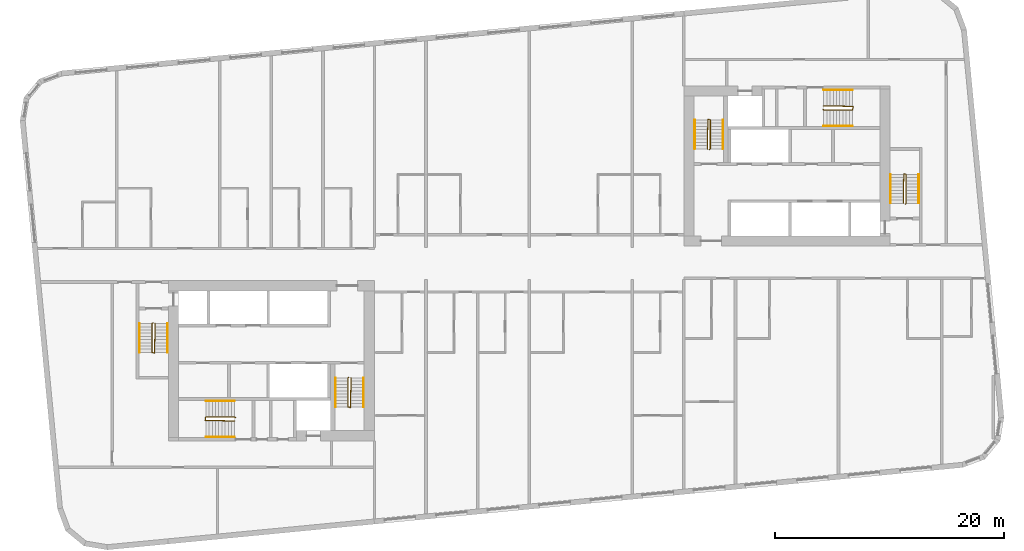
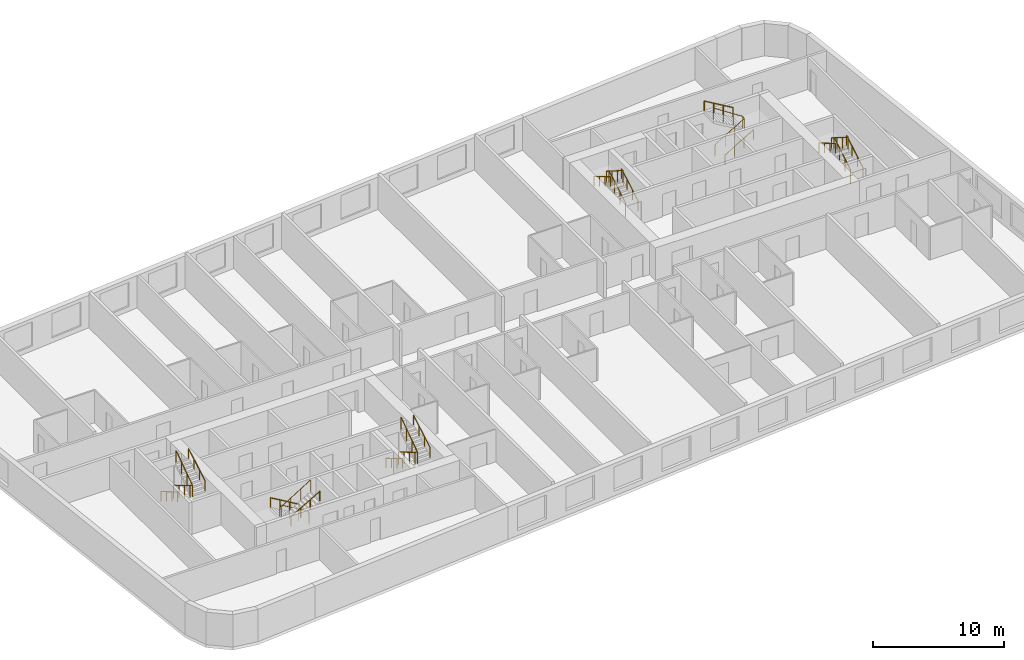
# One storey, part 12 of 12: 18 railings.
"""IFC4 building model written with IfcOpenShell, lengths in metres."""

from ifc_helpers import new_model, si_unit, direction, frame, origin, origin_2d, place, context, subcontext, project, spatial, circle, extrude, material, type_object, element, save


model = new_model("IFC4")

# Units and contexts
model_context = context("Model", 3, precision=1e-05, world=origin(), true_north=direction((0.0, 1.0)))
body_context = subcontext(model_context, "Body", "Model", "MODEL_VIEW")
ifc_project = project(units=[si_unit("LENGTHUNIT", "METRE"), si_unit("AREAUNIT", "SQUARE_METRE"), si_unit("VOLUMEUNIT", "CUBIC_METRE"), si_unit("PLANEANGLEUNIT", "RADIAN"), si_unit("MASSUNIT", "GRAM", prefix="KILO")], contexts=[model_context])

# Site, building, storey
site_placement = place(None, origin())
site = spatial("IfcSite", under=ifc_project, at=site_placement, CompositionType="ELEMENT")
building_placement = place(site_placement, origin())
building = spatial("IfcBuilding", under=site, at=building_placement, Name="Kajstack Hotel Tower", CompositionType="ELEMENT")
storey_placement = place(building_placement, frame((0.0, 0.0, 180.10009765625)))
storey = spatial("IfcBuildingStorey", under=building, at=storey_placement, Name="L42", CompositionType="ELEMENT", Elevation=180.10009765625)

# Railings
ifc_material = material(Name="Steel S355J2", Category="steel")
railing_type_1 = type_object("IfcRailingType", Name="Stair guard 1100", PredefinedType="GUARDRAIL", material=ifc_material)
railing_1_placement = place(storey_placement, frame((-32.85009765625, -5.199951171875, 0.0)))
element("IfcRailing", 1, at=railing_1_placement, inside=storey, type_object=railing_type_1, Name="L42 W1 stair guard 1", PredefinedType="GUARDRAIL", context=body_context, shape_type="SweptSolid", body=[
    extrude(circle(Radius=0.02392578125, at=origin_2d()), frame((0.0, 0.0, 1.076171875), z_axis=(-0.277797701265, -0.279159454702, 0.919183570361), x_axis=(0.708833529934, -0.705375805398, 0.0)), (0.0, 0.0, 1.0), 0.17919921875),
    extrude(circle(Radius=0.02392578125, at=origin_2d()), frame((-0.0498046875, -0.050048828125, 1.24072265625), z_axis=(0.0, -0.86152411907, 0.507716645641), x_axis=(1.0, 0.0, 0.0)), (0.0, 0.0, 1.0), 2.925048828125),
    extrude(circle(Radius=0.02392578125, at=origin_2d()), frame((-0.0498046875, -2.570068359375, 2.72607421875), z_axis=(0.970072785993, -0.242814311512, 0.0), x_axis=(0.242814311512, 0.970072785993, 0.0)), (0.0, 0.0, 1.0), 0.2060546875),
    extrude(circle(Radius=0.02392578125, at=origin_2d()), frame((0.150146484375, -2.6201171875, 2.72607421875), z_axis=(0.016385308676, 0.841405582595, 0.540155687962), x_axis=(-0.999810440751, 0.019470042781, 0.0)), (0.0, 0.0, 1.0), 3.054443359375),
    extrude(circle(Radius=0.02099609375, at=origin_2d()), origin(), (0.0, 0.0, 1.0), 1.052001953125),
    extrude(circle(Radius=0.02099609375, at=origin_2d()), frame((-0.0498046875, -0.050048828125, 0.164794921875)), (0.0, 0.0, 1.0), 1.052001953125),
    extrude(circle(Radius=0.02099609375, at=origin_2d()), frame((-0.0498046875, -0.89013671875, 0.659912109375)), (0.0, 0.0, 1.0), 1.052001953125),
    extrude(circle(Radius=0.02099609375, at=origin_2d()), frame((-0.0498046875, -1.72998046875, 1.15478515625)), (0.0, 0.0, 1.0), 1.052001953125),
    extrude(circle(Radius=0.02099609375, at=origin_2d()), frame((-0.0498046875, -2.570068359375, 1.64990234375)), (0.0, 0.0, 1.0), 1.052001953125),
    extrude(circle(Radius=0.02099609375, at=origin_2d()), frame((0.150146484375, -2.6201171875, 1.64990234375)), (0.0, 0.0, 1.0), 1.052001953125),
    extrude(circle(Radius=0.02099609375, at=origin_2d()), frame((0.166748046875, -1.763427734375, 2.199951171875)), (0.0, 0.0, 1.0), 1.052001953125),
    extrude(circle(Radius=0.02099609375, at=origin_2d()), frame((0.18359375, -0.90673828125, 2.749755859375)), (0.0, 0.0, 1.0), 1.052001953125),
    extrude(circle(Radius=0.02099609375, at=origin_2d()), frame((0.2001953125, -0.050048828125, 3.2998046875)), (0.0, 0.0, 1.0), 1.052001953125),
])
railing_2_placement = place(storey_placement, frame((-15.75, -9.949951171875, 0.0)))
element("IfcRailing", 2, at=railing_2_placement, inside=storey, type_object=railing_type_1, Name="L42 W2 stair guard 1", PredefinedType="GUARDRAIL", context=body_context, shape_type="SweptSolid", body=[
    extrude(circle(Radius=0.02392578125, at=origin_2d()), frame((0.0, 0.0, 1.076171875), z_axis=(-0.279053652268, -0.279053652268, 0.918835196492), x_axis=(0.707106781187, -0.707106781187, 0.0)), (0.0, 0.0, 1.0), 0.179443359375),
    extrude(circle(Radius=0.02392578125, at=origin_2d()), frame((-0.050048828125, -0.050048828125, 1.24072265625), z_axis=(0.0, -0.86152411907, 0.507716645641), x_axis=(1.0, 0.0, 0.0)), (0.0, 0.0, 1.0), 2.925048828125),
    extrude(circle(Radius=0.02392578125, at=origin_2d()), frame((-0.050048828125, -2.570068359375, 2.72607421875), z_axis=(0.970072785993, -0.242814311512, 0.0), x_axis=(0.242814311512, 0.970072785993, 0.0)), (0.0, 0.0, 1.0), 0.2060546875),
    extrude(circle(Radius=0.02392578125, at=origin_2d()), frame((0.14990234375, -2.6201171875, 2.72607421875), z_axis=(0.016385308676, 0.841405582595, 0.540155687962), x_axis=(-0.999810440751, 0.019470042781, 0.0)), (0.0, 0.0, 1.0), 3.054443359375),
    extrude(circle(Radius=0.02099609375, at=origin_2d()), origin(), (0.0, 0.0, 1.0), 1.052001953125),
    extrude(circle(Radius=0.02099609375, at=origin_2d()), frame((-0.050048828125, -0.050048828125, 0.164794921875)), (0.0, 0.0, 1.0), 1.052001953125),
    extrude(circle(Radius=0.02099609375, at=origin_2d()), frame((-0.050048828125, -0.89013671875, 0.659912109375)), (0.0, 0.0, 1.0), 1.052001953125),
    extrude(circle(Radius=0.02099609375, at=origin_2d()), frame((-0.050048828125, -1.72998046875, 1.15478515625)), (0.0, 0.0, 1.0), 1.052001953125),
    extrude(circle(Radius=0.02099609375, at=origin_2d()), frame((-0.050048828125, -2.570068359375, 1.64990234375)), (0.0, 0.0, 1.0), 1.052001953125),
    extrude(circle(Radius=0.02099609375, at=origin_2d()), frame((0.14990234375, -2.6201171875, 1.64990234375)), (0.0, 0.0, 1.0), 1.052001953125),
    extrude(circle(Radius=0.02099609375, at=origin_2d()), frame((0.16650390625, -1.763427734375, 2.199951171875)), (0.0, 0.0, 1.0), 1.052001953125),
    extrude(circle(Radius=0.02099609375, at=origin_2d()), frame((0.183349609375, -0.90673828125, 2.749755859375)), (0.0, 0.0, 1.0), 1.052001953125),
    extrude(circle(Radius=0.02099609375, at=origin_2d()), frame((0.199951171875, -0.050048828125, 3.2998046875)), (0.0, 0.0, 1.0), 1.052001953125),
])
railing_3_placement = place(storey_placement, frame((-25.64990234375, -13.449951171875, 0.0)))
element("IfcRailing", 3, at=railing_3_placement, inside=storey, type_object=railing_type_1, Name="L42 W3 stair guard 1", PredefinedType="GUARDRAIL", context=body_context, shape_type="SweptSolid", body=[
    extrude(circle(Radius=0.02392578125, at=origin_2d()), frame((0.0, 0.0, 1.076171875), z_axis=(-0.279053652268, 0.279053652268, 0.918835196492), x_axis=(-0.707106781187, -0.707106781187, 0.0)), (0.0, 0.0, 1.0), 0.179443359375),
    extrude(circle(Radius=0.02392578125, at=origin_2d()), frame((-0.050048828125, 0.050048828125, 1.24072265625), z_axis=(-0.86152411907, 0.0, 0.507716645641), x_axis=(0.0, -1.0, 0.0)), (0.0, 0.0, 1.0), 2.925048828125),
    extrude(circle(Radius=0.02392578125, at=origin_2d()), frame((-2.570068359375, 0.050048828125, 2.72607421875), z_axis=(-0.164529134168, -0.986372223864, 0.0), x_axis=(0.986372223864, -0.164529134168, 0.0)), (0.0, 0.0, 1.0), 0.30419921875),
    extrude(circle(Radius=0.02392578125, at=origin_2d()), frame((-2.6201171875, -0.25, 2.72607421875), z_axis=(0.841405582595, -0.016385308676, 0.540155687962), x_axis=(0.019470042781, 0.999810440751, 0.0)), (0.0, 0.0, 1.0), 3.054443359375),
    extrude(circle(Radius=0.02099609375, at=origin_2d()), origin(), (0.0, 0.0, 1.0), 1.052001953125),
    extrude(circle(Radius=0.02099609375, at=origin_2d()), frame((-0.050048828125, 0.050048828125, 0.164794921875)), (0.0, 0.0, 1.0), 1.052001953125),
    extrude(circle(Radius=0.02099609375, at=origin_2d()), frame((-0.89013671875, 0.050048828125, 0.659912109375)), (0.0, 0.0, 1.0), 1.052001953125),
    extrude(circle(Radius=0.02099609375, at=origin_2d()), frame((-1.72998046875, 0.050048828125, 1.15478515625)), (0.0, 0.0, 1.0), 1.052001953125),
    extrude(circle(Radius=0.02099609375, at=origin_2d()), frame((-2.570068359375, 0.050048828125, 1.64990234375)), (0.0, 0.0, 1.0), 1.052001953125),
    extrude(circle(Radius=0.02099609375, at=origin_2d()), frame((-2.6201171875, -0.25, 1.64990234375)), (0.0, 0.0, 1.0), 1.052001953125),
    extrude(circle(Radius=0.02099609375, at=origin_2d()), frame((-1.763427734375, -0.2666015625, 2.199951171875)), (0.0, 0.0, 1.0), 1.052001953125),
    extrude(circle(Radius=0.02099609375, at=origin_2d()), frame((-0.90673828125, -0.283447265625, 2.749755859375)), (0.0, 0.0, 1.0), 1.052001953125),
    extrude(circle(Radius=0.02099609375, at=origin_2d()), frame((-0.050048828125, -0.300048828125, 3.2998046875)), (0.0, 0.0, 1.0), 1.052001953125),
])
railing_4_placement = place(storey_placement, frame((32.85009765625, 5.199951171875, 0.0)))
element("IfcRailing", 4, at=railing_4_placement, inside=storey, type_object=railing_type_1, Name="L42 E1 stair guard 1", PredefinedType="GUARDRAIL", context=body_context, shape_type="SweptSolid", body=[
    extrude(circle(Radius=0.02392578125, at=origin_2d()), frame((0.0, 0.0, 1.076171875), z_axis=(0.277797701265, 0.279159454702, 0.919183570361), x_axis=(-0.708833529934, 0.705375805398, 0.0)), (0.0, 0.0, 1.0), 0.17919921875),
    extrude(circle(Radius=0.02392578125, at=origin_2d()), frame((0.0498046875, 0.050048828125, 1.24072265625), z_axis=(0.0, 0.86152411907, 0.507716645641), x_axis=(-1.0, 0.0, 0.0)), (0.0, 0.0, 1.0), 2.925048828125),
    extrude(circle(Radius=0.02392578125, at=origin_2d()), frame((0.0498046875, 2.570068359375, 2.72607421875), z_axis=(-0.970072785993, 0.242814311512, 0.0), x_axis=(-0.242814311512, -0.970072785993, 0.0)), (0.0, 0.0, 1.0), 0.2060546875),
    extrude(circle(Radius=0.02392578125, at=origin_2d()), frame((-0.150146484375, 2.6201171875, 2.72607421875), z_axis=(-0.016385308676, -0.841405582595, 0.540155687962), x_axis=(0.999810440751, -0.019470042781, 0.0)), (0.0, 0.0, 1.0), 3.054443359375),
    extrude(circle(Radius=0.02099609375, at=origin_2d()), origin(), (0.0, 0.0, 1.0), 1.052001953125),
    extrude(circle(Radius=0.02099609375, at=origin_2d()), frame((0.0498046875, 0.050048828125, 0.164794921875)), (0.0, 0.0, 1.0), 1.052001953125),
    extrude(circle(Radius=0.02099609375, at=origin_2d()), frame((0.0498046875, 0.89013671875, 0.659912109375)), (0.0, 0.0, 1.0), 1.052001953125),
    extrude(circle(Radius=0.02099609375, at=origin_2d()), frame((0.0498046875, 1.72998046875, 1.15478515625)), (0.0, 0.0, 1.0), 1.052001953125),
    extrude(circle(Radius=0.02099609375, at=origin_2d()), frame((0.0498046875, 2.570068359375, 1.64990234375)), (0.0, 0.0, 1.0), 1.052001953125),
    extrude(circle(Radius=0.02099609375, at=origin_2d()), frame((-0.150146484375, 2.6201171875, 1.64990234375)), (0.0, 0.0, 1.0), 1.052001953125),
    extrude(circle(Radius=0.02099609375, at=origin_2d()), frame((-0.166748046875, 1.763427734375, 2.199951171875)), (0.0, 0.0, 1.0), 1.052001953125),
    extrude(circle(Radius=0.02099609375, at=origin_2d()), frame((-0.18359375, 0.90673828125, 2.749755859375)), (0.0, 0.0, 1.0), 1.052001953125),
    extrude(circle(Radius=0.02099609375, at=origin_2d()), frame((-0.2001953125, 0.050048828125, 3.2998046875)), (0.0, 0.0, 1.0), 1.052001953125),
])
railing_5_placement = place(storey_placement, frame((15.75, 9.949951171875, 0.0)))
element("IfcRailing", 5, at=railing_5_placement, inside=storey, type_object=railing_type_1, Name="L42 E2 stair guard 1", PredefinedType="GUARDRAIL", context=body_context, shape_type="SweptSolid", body=[
    extrude(circle(Radius=0.02392578125, at=origin_2d()), frame((0.0, 0.0, 1.076171875), z_axis=(0.279053652268, 0.279053652268, 0.918835196492), x_axis=(-0.707106781187, 0.707106781187, 0.0)), (0.0, 0.0, 1.0), 0.179443359375),
    extrude(circle(Radius=0.02392578125, at=origin_2d()), frame((0.050048828125, 0.050048828125, 1.24072265625), z_axis=(0.0, 0.86152411907, 0.507716645641), x_axis=(-1.0, 0.0, 0.0)), (0.0, 0.0, 1.0), 2.925048828125),
    extrude(circle(Radius=0.02392578125, at=origin_2d()), frame((0.050048828125, 2.570068359375, 2.72607421875), z_axis=(-0.970072785993, 0.242814311512, 0.0), x_axis=(-0.242814311512, -0.970072785993, 0.0)), (0.0, 0.0, 1.0), 0.2060546875),
    extrude(circle(Radius=0.02392578125, at=origin_2d()), frame((-0.14990234375, 2.6201171875, 2.72607421875), z_axis=(-0.016385308676, -0.841405582595, 0.540155687962), x_axis=(0.999810440751, -0.019470042781, 0.0)), (0.0, 0.0, 1.0), 3.054443359375),
    extrude(circle(Radius=0.02099609375, at=origin_2d()), origin(), (0.0, 0.0, 1.0), 1.052001953125),
    extrude(circle(Radius=0.02099609375, at=origin_2d()), frame((0.050048828125, 0.050048828125, 0.164794921875)), (0.0, 0.0, 1.0), 1.052001953125),
    extrude(circle(Radius=0.02099609375, at=origin_2d()), frame((0.050048828125, 0.89013671875, 0.659912109375)), (0.0, 0.0, 1.0), 1.052001953125),
    extrude(circle(Radius=0.02099609375, at=origin_2d()), frame((0.050048828125, 1.72998046875, 1.15478515625)), (0.0, 0.0, 1.0), 1.052001953125),
    extrude(circle(Radius=0.02099609375, at=origin_2d()), frame((0.050048828125, 2.570068359375, 1.64990234375)), (0.0, 0.0, 1.0), 1.052001953125),
    extrude(circle(Radius=0.02099609375, at=origin_2d()), frame((-0.14990234375, 2.6201171875, 1.64990234375)), (0.0, 0.0, 1.0), 1.052001953125),
    extrude(circle(Radius=0.02099609375, at=origin_2d()), frame((-0.16650390625, 1.763427734375, 2.199951171875)), (0.0, 0.0, 1.0), 1.052001953125),
    extrude(circle(Radius=0.02099609375, at=origin_2d()), frame((-0.183349609375, 0.90673828125, 2.749755859375)), (0.0, 0.0, 1.0), 1.052001953125),
    extrude(circle(Radius=0.02099609375, at=origin_2d()), frame((-0.199951171875, 0.050048828125, 3.2998046875)), (0.0, 0.0, 1.0), 1.052001953125),
])
railing_6_placement = place(storey_placement, frame((25.64990234375, 13.449951171875, 0.0)))
element("IfcRailing", 6, at=railing_6_placement, inside=storey, type_object=railing_type_1, Name="L42 E3 stair guard 1", PredefinedType="GUARDRAIL", context=body_context, shape_type="SweptSolid", body=[
    extrude(circle(Radius=0.02392578125, at=origin_2d()), frame((0.0, 0.0, 1.076171875), z_axis=(0.279053652268, -0.279053652268, 0.918835196492), x_axis=(0.707106781187, 0.707106781187, 0.0)), (0.0, 0.0, 1.0), 0.179443359375),
    extrude(circle(Radius=0.02392578125, at=origin_2d()), frame((0.050048828125, -0.050048828125, 1.24072265625), z_axis=(0.86152411907, 0.0, 0.507716645641), x_axis=(0.0, 1.0, 0.0)), (0.0, 0.0, 1.0), 2.925048828125),
    extrude(circle(Radius=0.02392578125, at=origin_2d()), frame((2.570068359375, -0.050048828125, 2.72607421875), z_axis=(0.164529134168, 0.986372223864, 0.0), x_axis=(-0.986372223864, 0.164529134168, 0.0)), (0.0, 0.0, 1.0), 0.30419921875),
    extrude(circle(Radius=0.02392578125, at=origin_2d()), frame((2.6201171875, 0.25, 2.72607421875), z_axis=(-0.841405582595, 0.016385308676, 0.540155687962), x_axis=(-0.019470042781, -0.999810440751, 0.0)), (0.0, 0.0, 1.0), 3.054443359375),
    extrude(circle(Radius=0.02099609375, at=origin_2d()), origin(), (0.0, 0.0, 1.0), 1.052001953125),
    extrude(circle(Radius=0.02099609375, at=origin_2d()), frame((0.050048828125, -0.050048828125, 0.164794921875)), (0.0, 0.0, 1.0), 1.052001953125),
    extrude(circle(Radius=0.02099609375, at=origin_2d()), frame((0.89013671875, -0.050048828125, 0.659912109375)), (0.0, 0.0, 1.0), 1.052001953125),
    extrude(circle(Radius=0.02099609375, at=origin_2d()), frame((1.72998046875, -0.050048828125, 1.15478515625)), (0.0, 0.0, 1.0), 1.052001953125),
    extrude(circle(Radius=0.02099609375, at=origin_2d()), frame((2.570068359375, -0.050048828125, 1.64990234375)), (0.0, 0.0, 1.0), 1.052001953125),
    extrude(circle(Radius=0.02099609375, at=origin_2d()), frame((2.6201171875, 0.25, 1.64990234375)), (0.0, 0.0, 1.0), 1.052001953125),
    extrude(circle(Radius=0.02099609375, at=origin_2d()), frame((1.763427734375, 0.2666015625, 2.199951171875)), (0.0, 0.0, 1.0), 1.052001953125),
    extrude(circle(Radius=0.02099609375, at=origin_2d()), frame((0.90673828125, 0.283447265625, 2.749755859375)), (0.0, 0.0, 1.0), 1.052001953125),
    extrude(circle(Radius=0.02099609375, at=origin_2d()), frame((0.050048828125, 0.300048828125, 3.2998046875)), (0.0, 0.0, 1.0), 1.052001953125),
])
railing_type_2 = type_object("IfcRailingType", Name="Stair handrail 900", PredefinedType="HANDRAIL", material=ifc_material)
railing_7_placement = place(storey_placement, frame((-34.0, -5.25, 0.164794921875)))
element("IfcRailing", 7, at=railing_7_placement, inside=storey, type_object=railing_type_2, Name="L42 W1 stair handrail 1", PredefinedType="HANDRAIL", context=body_context, shape_type="SweptSolid", body=[
    extrude(circle(Radius=0.02392578125, at=origin_2d()), frame((0.0, 0.0, 0.8759765625), z_axis=(0.0, -0.86152411907, 0.507716645641), x_axis=(1.0, 0.0, 0.0)), (0.0, 0.0, 1.0), 2.925048828125),
    extrude(circle(Radius=0.02099609375, at=origin_2d()), origin(), (0.0, 0.0, 1.0), 0.851806640625),
    extrude(circle(Radius=0.02099609375, at=origin_2d()), frame((0.0, -0.840087890625, 0.4951171875)), (0.0, 0.0, 1.0), 0.851806640625),
    extrude(circle(Radius=0.02099609375, at=origin_2d()), frame((0.0, -1.679931640625, 0.989990234375)), (0.0, 0.0, 1.0), 0.851806640625),
    extrude(circle(Radius=0.02099609375, at=origin_2d()), frame((0.0, -2.52001953125, 1.485107421875)), (0.0, 0.0, 1.0), 0.851806640625),
])
railing_8_placement = place(storey_placement, frame((-31.550048828125, -7.77001953125, 1.81494140625)))
element("IfcRailing", 8, at=railing_8_placement, inside=storey, type_object=railing_type_2, Name="L42 W1 stair handrail 2", PredefinedType="HANDRAIL", context=body_context, shape_type="SweptSolid", body=[
    extrude(circle(Radius=0.02392578125, at=origin_2d()), frame((0.0, 0.0, 0.8759765625), z_axis=(0.0, 0.861560626758, 0.507654692109), x_axis=(-1.0, 0.0, 0.0)), (0.0, 0.0, 1.0), 2.925048828125),
    extrude(circle(Radius=0.02099609375, at=origin_2d()), origin(), (0.0, 0.0, 1.0), 0.851806640625),
    extrude(circle(Radius=0.02099609375, at=origin_2d()), frame((0.0, 0.840087890625, 0.494873046875)), (0.0, 0.0, 1.0), 0.851806640625),
    extrude(circle(Radius=0.02099609375, at=origin_2d()), frame((0.0, 1.679931640625, 0.989990234375)), (0.0, 0.0, 1.0), 0.851806640625),
    extrude(circle(Radius=0.02099609375, at=origin_2d()), frame((0.0, 2.52001953125, 1.48486328125)), (0.0, 0.0, 1.0), 0.851806640625),
])
railing_9_placement = place(storey_placement, frame((-16.89990234375, -10.0, 0.164794921875)))
element("IfcRailing", 9, at=railing_9_placement, inside=storey, type_object=railing_type_2, Name="L42 W2 stair handrail 1", PredefinedType="HANDRAIL", context=body_context, shape_type="SweptSolid", body=[
    extrude(circle(Radius=0.02392578125, at=origin_2d()), frame((0.0, 0.0, 0.8759765625), z_axis=(0.0, -0.86152411907, 0.507716645641), x_axis=(1.0, 0.0, 0.0)), (0.0, 0.0, 1.0), 2.925048828125),
    extrude(circle(Radius=0.02099609375, at=origin_2d()), origin(), (0.0, 0.0, 1.0), 0.851806640625),
    extrude(circle(Radius=0.02099609375, at=origin_2d()), frame((0.0, -0.840087890625, 0.4951171875)), (0.0, 0.0, 1.0), 0.851806640625),
    extrude(circle(Radius=0.02099609375, at=origin_2d()), frame((0.0, -1.679931640625, 0.989990234375)), (0.0, 0.0, 1.0), 0.851806640625),
    extrude(circle(Radius=0.02099609375, at=origin_2d()), frame((0.0, -2.52001953125, 1.485107421875)), (0.0, 0.0, 1.0), 0.851806640625),
])
railing_10_placement = place(storey_placement, frame((-14.449951171875, -12.52001953125, 1.81494140625)))
element("IfcRailing", 10, at=railing_10_placement, inside=storey, type_object=railing_type_2, Name="L42 W2 stair handrail 2", PredefinedType="HANDRAIL", context=body_context, shape_type="SweptSolid", body=[
    extrude(circle(Radius=0.02392578125, at=origin_2d()), frame((0.0, 0.0, 0.8759765625), z_axis=(0.0, 0.861560626758, 0.507654692109), x_axis=(-1.0, 0.0, 0.0)), (0.0, 0.0, 1.0), 2.925048828125),
    extrude(circle(Radius=0.02099609375, at=origin_2d()), origin(), (0.0, 0.0, 1.0), 0.851806640625),
    extrude(circle(Radius=0.02099609375, at=origin_2d()), frame((0.0, 0.840087890625, 0.494873046875)), (0.0, 0.0, 1.0), 0.851806640625),
    extrude(circle(Radius=0.02099609375, at=origin_2d()), frame((0.0, 1.679931640625, 0.989990234375)), (0.0, 0.0, 1.0), 0.851806640625),
    extrude(circle(Radius=0.02099609375, at=origin_2d()), frame((0.0, 2.52001953125, 1.48486328125)), (0.0, 0.0, 1.0), 0.851806640625),
])
railing_11_placement = place(storey_placement, frame((-25.699951171875, -12.0, 0.164794921875)))
element("IfcRailing", 11, at=railing_11_placement, inside=storey, type_object=railing_type_2, Name="L42 W3 stair handrail 1", PredefinedType="HANDRAIL", context=body_context, shape_type="SweptSolid", body=[
    extrude(circle(Radius=0.02392578125, at=origin_2d()), frame((0.0, 0.0, 0.8759765625), z_axis=(-0.86152411907, 0.0, 0.507716645641), x_axis=(0.0, -1.0, 0.0)), (0.0, 0.0, 1.0), 2.925048828125),
    extrude(circle(Radius=0.02099609375, at=origin_2d()), origin(), (0.0, 0.0, 1.0), 0.851806640625),
    extrude(circle(Radius=0.02099609375, at=origin_2d()), frame((-0.840087890625, 0.0, 0.4951171875)), (0.0, 0.0, 1.0), 0.851806640625),
    extrude(circle(Radius=0.02099609375, at=origin_2d()), frame((-1.679931640625, 0.0, 0.989990234375)), (0.0, 0.0, 1.0), 0.851806640625),
    extrude(circle(Radius=0.02099609375, at=origin_2d()), frame((-2.52001953125, 0.0, 1.485107421875)), (0.0, 0.0, 1.0), 0.851806640625),
])
railing_12_placement = place(storey_placement, frame((-28.219970703125, -15.14990234375, 1.81494140625)))
element("IfcRailing", 12, at=railing_12_placement, inside=storey, type_object=railing_type_2, Name="L42 W3 stair handrail 2", PredefinedType="HANDRAIL", context=body_context, shape_type="SweptSolid", body=[
    extrude(circle(Radius=0.02392578125, at=origin_2d()), frame((0.0, 0.0, 0.8759765625), z_axis=(0.861560626758, 0.0, 0.507654692109), x_axis=(0.0, 1.0, 0.0)), (0.0, 0.0, 1.0), 2.925048828125),
    extrude(circle(Radius=0.02099609375, at=origin_2d()), origin(), (0.0, 0.0, 1.0), 0.851806640625),
    extrude(circle(Radius=0.02099609375, at=origin_2d()), frame((0.840087890625, 0.0, 0.494873046875)), (0.0, 0.0, 1.0), 0.851806640625),
    extrude(circle(Radius=0.02099609375, at=origin_2d()), frame((1.679931640625, 0.0, 0.989990234375)), (0.0, 0.0, 1.0), 0.851806640625),
    extrude(circle(Radius=0.02099609375, at=origin_2d()), frame((2.52001953125, 0.0, 1.48486328125)), (0.0, 0.0, 1.0), 0.851806640625),
])
railing_13_placement = place(storey_placement, frame((34.0, 5.25, 0.164794921875)))
element("IfcRailing", 13, at=railing_13_placement, inside=storey, type_object=railing_type_2, Name="L42 E1 stair handrail 1", PredefinedType="HANDRAIL", context=body_context, shape_type="SweptSolid", body=[
    extrude(circle(Radius=0.02392578125, at=origin_2d()), frame((0.0, 0.0, 0.8759765625), z_axis=(0.0, 0.86152411907, 0.507716645641), x_axis=(-1.0, 0.0, 0.0)), (0.0, 0.0, 1.0), 2.925048828125),
    extrude(circle(Radius=0.02099609375, at=origin_2d()), origin(), (0.0, 0.0, 1.0), 0.851806640625),
    extrude(circle(Radius=0.02099609375, at=origin_2d()), frame((0.0, 0.840087890625, 0.4951171875)), (0.0, 0.0, 1.0), 0.851806640625),
    extrude(circle(Radius=0.02099609375, at=origin_2d()), frame((0.0, 1.679931640625, 0.989990234375)), (0.0, 0.0, 1.0), 0.851806640625),
    extrude(circle(Radius=0.02099609375, at=origin_2d()), frame((0.0, 2.52001953125, 1.485107421875)), (0.0, 0.0, 1.0), 0.851806640625),
])
railing_14_placement = place(storey_placement, frame((31.550048828125, 7.77001953125, 1.81494140625)))
element("IfcRailing", 14, at=railing_14_placement, inside=storey, type_object=railing_type_2, Name="L42 E1 stair handrail 2", PredefinedType="HANDRAIL", context=body_context, shape_type="SweptSolid", body=[
    extrude(circle(Radius=0.02392578125, at=origin_2d()), frame((0.0, 0.0, 0.8759765625), z_axis=(0.0, -0.861560626758, 0.507654692109), x_axis=(1.0, 0.0, 0.0)), (0.0, 0.0, 1.0), 2.925048828125),
    extrude(circle(Radius=0.02099609375, at=origin_2d()), origin(), (0.0, 0.0, 1.0), 0.851806640625),
    extrude(circle(Radius=0.02099609375, at=origin_2d()), frame((0.0, -0.840087890625, 0.494873046875)), (0.0, 0.0, 1.0), 0.851806640625),
    extrude(circle(Radius=0.02099609375, at=origin_2d()), frame((0.0, -1.679931640625, 0.989990234375)), (0.0, 0.0, 1.0), 0.851806640625),
    extrude(circle(Radius=0.02099609375, at=origin_2d()), frame((0.0, -2.52001953125, 1.48486328125)), (0.0, 0.0, 1.0), 0.851806640625),
])
railing_15_placement = place(storey_placement, frame((16.89990234375, 10.0, 0.164794921875)))
element("IfcRailing", 15, at=railing_15_placement, inside=storey, type_object=railing_type_2, Name="L42 E2 stair handrail 1", PredefinedType="HANDRAIL", context=body_context, shape_type="SweptSolid", body=[
    extrude(circle(Radius=0.02392578125, at=origin_2d()), frame((0.0, 0.0, 0.8759765625), z_axis=(0.0, 0.86152411907, 0.507716645641), x_axis=(-1.0, 0.0, 0.0)), (0.0, 0.0, 1.0), 2.925048828125),
    extrude(circle(Radius=0.02099609375, at=origin_2d()), origin(), (0.0, 0.0, 1.0), 0.851806640625),
    extrude(circle(Radius=0.02099609375, at=origin_2d()), frame((0.0, 0.840087890625, 0.4951171875)), (0.0, 0.0, 1.0), 0.851806640625),
    extrude(circle(Radius=0.02099609375, at=origin_2d()), frame((0.0, 1.679931640625, 0.989990234375)), (0.0, 0.0, 1.0), 0.851806640625),
    extrude(circle(Radius=0.02099609375, at=origin_2d()), frame((0.0, 2.52001953125, 1.485107421875)), (0.0, 0.0, 1.0), 0.851806640625),
])
railing_16_placement = place(storey_placement, frame((14.449951171875, 12.52001953125, 1.81494140625)))
element("IfcRailing", 16, at=railing_16_placement, inside=storey, type_object=railing_type_2, Name="L42 E2 stair handrail 2", PredefinedType="HANDRAIL", context=body_context, shape_type="SweptSolid", body=[
    extrude(circle(Radius=0.02392578125, at=origin_2d()), frame((0.0, 0.0, 0.8759765625), z_axis=(0.0, -0.861560626758, 0.507654692109), x_axis=(1.0, 0.0, 0.0)), (0.0, 0.0, 1.0), 2.925048828125),
    extrude(circle(Radius=0.02099609375, at=origin_2d()), origin(), (0.0, 0.0, 1.0), 0.851806640625),
    extrude(circle(Radius=0.02099609375, at=origin_2d()), frame((0.0, -0.840087890625, 0.494873046875)), (0.0, 0.0, 1.0), 0.851806640625),
    extrude(circle(Radius=0.02099609375, at=origin_2d()), frame((0.0, -1.679931640625, 0.989990234375)), (0.0, 0.0, 1.0), 0.851806640625),
    extrude(circle(Radius=0.02099609375, at=origin_2d()), frame((0.0, -2.52001953125, 1.48486328125)), (0.0, 0.0, 1.0), 0.851806640625),
])
railing_17_placement = place(storey_placement, frame((25.699951171875, 12.0, 0.164794921875)))
element("IfcRailing", 17, at=railing_17_placement, inside=storey, type_object=railing_type_2, Name="L42 E3 stair handrail 1", PredefinedType="HANDRAIL", context=body_context, shape_type="SweptSolid", body=[
    extrude(circle(Radius=0.02392578125, at=origin_2d()), frame((0.0, 0.0, 0.8759765625), z_axis=(0.86152411907, 0.0, 0.507716645641), x_axis=(0.0, 1.0, 0.0)), (0.0, 0.0, 1.0), 2.925048828125),
    extrude(circle(Radius=0.02099609375, at=origin_2d()), origin(), (0.0, 0.0, 1.0), 0.851806640625),
    extrude(circle(Radius=0.02099609375, at=origin_2d()), frame((0.840087890625, 0.0, 0.4951171875)), (0.0, 0.0, 1.0), 0.851806640625),
    extrude(circle(Radius=0.02099609375, at=origin_2d()), frame((1.679931640625, 0.0, 0.989990234375)), (0.0, 0.0, 1.0), 0.851806640625),
    extrude(circle(Radius=0.02099609375, at=origin_2d()), frame((2.52001953125, 0.0, 1.485107421875)), (0.0, 0.0, 1.0), 0.851806640625),
])
railing_18_placement = place(storey_placement, frame((28.219970703125, 15.14990234375, 1.81494140625)))
element("IfcRailing", 18, at=railing_18_placement, inside=storey, type_object=railing_type_2, Name="L42 E3 stair handrail 2", PredefinedType="HANDRAIL", context=body_context, shape_type="SweptSolid", body=[
    extrude(circle(Radius=0.02392578125, at=origin_2d()), frame((0.0, 0.0, 0.8759765625), z_axis=(-0.861560626758, 0.0, 0.507654692109), x_axis=(0.0, -1.0, 0.0)), (0.0, 0.0, 1.0), 2.925048828125),
    extrude(circle(Radius=0.02099609375, at=origin_2d()), origin(), (0.0, 0.0, 1.0), 0.851806640625),
    extrude(circle(Radius=0.02099609375, at=origin_2d()), frame((-0.840087890625, 0.0, 0.494873046875)), (0.0, 0.0, 1.0), 0.851806640625),
    extrude(circle(Radius=0.02099609375, at=origin_2d()), frame((-1.679931640625, 0.0, 0.989990234375)), (0.0, 0.0, 1.0), 0.851806640625),
    extrude(circle(Radius=0.02099609375, at=origin_2d()), frame((-2.52001953125, 0.0, 1.48486328125)), (0.0, 0.0, 1.0), 0.851806640625),
])

save(model, "model.ifc")
